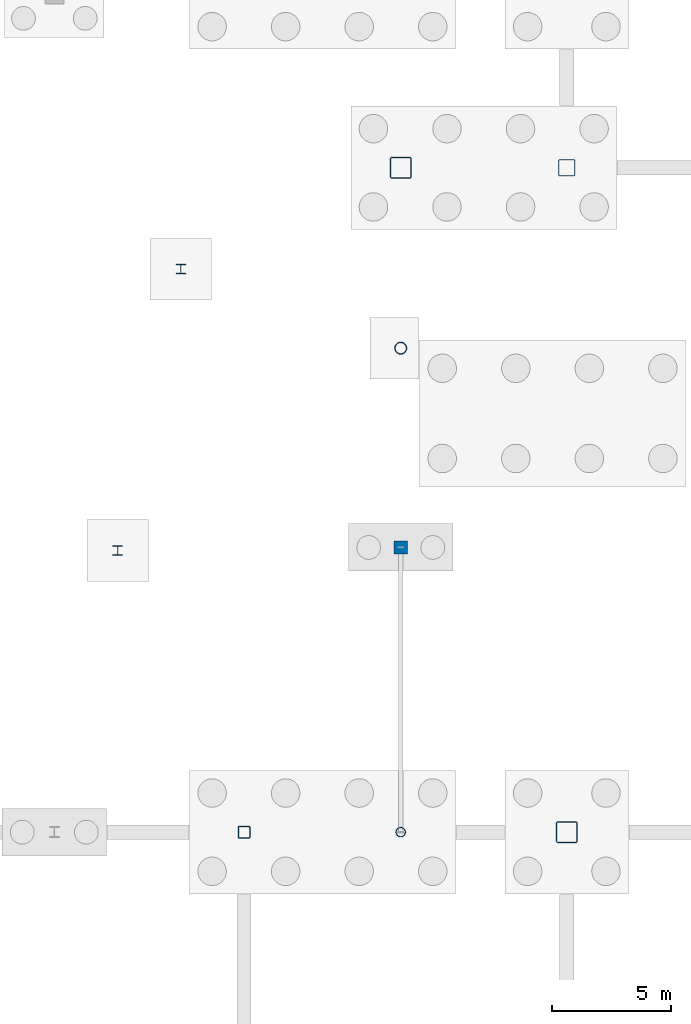
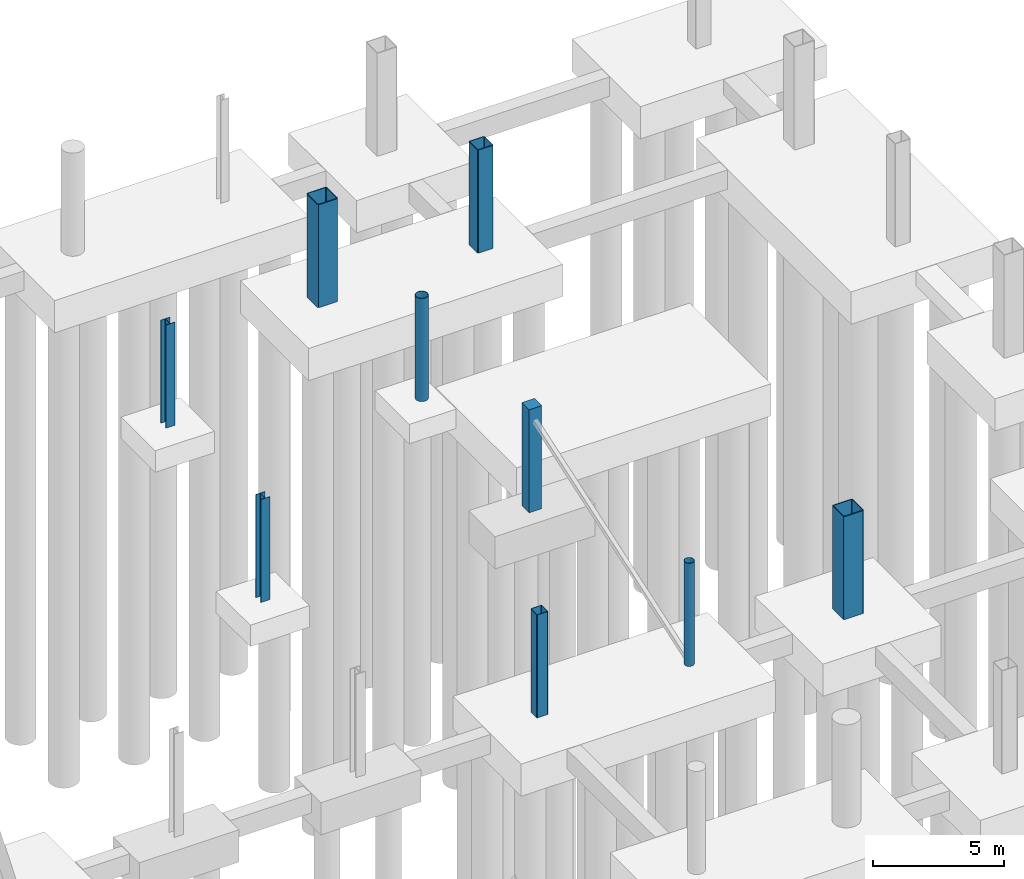
# One storey, part 15 of 34: 9 columns.
"""IFC4 building model written with IfcOpenShell, lengths in metres."""

import ifcopenshell
import ifcopenshell.guid

model = None  # the IFC model being written
_history = None  # IfcOwnerHistory: only IFC2X3 demands one
_inside = {}  # id of a spatial element -> (the spatial element, [elements in it])
_under = {}  # id of a project, library or spatial element -> (it, [spatial elements below it])
_declared = {}  # id of a project -> (the project, [libraries it declares])
_typed = {}  # id of a type object -> (the type object, [elements of that type])
_made_of = {}  # id of a material, layer set ... -> (it, [elements and type objects made of it])


def new_model(schema):
    """Start an empty IFC model of exactly this schema.

    Asked for "IFC4X3", IfcOpenShell would pick the latest addendum, in which some entities
    have other attributes; the version numbers below select the first issue.
    IFC2X3 requires an IfcOwnerHistory on every rooted entity: one is made here for all.
    """
    global model, _history
    if schema == "IFC4X3":
        model = ifcopenshell.file(schema_version=(4, 3, 0, 0))
    else:
        model = ifcopenshell.file(schema=schema)
    _inside.clear()
    _under.clear()
    _declared.clear()
    _typed.clear()
    _made_of.clear()
    _history = None
    if model.schema == "IFC2X3":
        org = make("IfcOrganization", Name="unknown")
        user = make(
            "IfcPersonAndOrganization",
            ThePerson=make("IfcPerson", FamilyName="unknown"),
            TheOrganization=org,
        )
        app = make(
            "IfcApplication",
            ApplicationDeveloper=org,
            Version="unknown",
            ApplicationFullName="unknown",
            ApplicationIdentifier="unknown",
        )
        _history = make(
            "IfcOwnerHistory",
            OwningUser=user,
            OwningApplication=app,
            ChangeAction="ADDED",
            CreationDate=0,
        )
    return model


def make(cls, **values):
    """One entity of the class cls with the attributes given. An attribute that is None is left unset."""
    return model.create_entity(
        cls, **{name: value for name, value in values.items() if value is not None}
    )


def rooted(cls, **values):
    """An entity with a GlobalId (a new one), such as an element, a storey or a relation."""
    return make(cls, GlobalId=ifcopenshell.guid.new(), OwnerHistory=_history, **values)


def si_unit(unit_type, name, prefix=None):
    """IfcSIUnit, for example si_unit("LENGTHUNIT", "METRE", prefix="MILLI")."""
    return make("IfcSIUnit", UnitType=unit_type, Prefix=prefix, Name=name)


def assignment(units):
    """IfcUnitAssignment: the units of a project."""
    return None if units is None else make("IfcUnitAssignment", Units=units)


def point(xyz):
    """IfcCartesianPoint."""
    return None if xyz is None else make("IfcCartesianPoint", Coordinates=xyz)


def direction(xyz):
    """IfcDirection."""
    return None if xyz is None else make("IfcDirection", DirectionRatios=xyz)


def frame(location, z_axis=None, x_axis=None):
    """IfcAxis2Placement3D, a coordinate frame: its origin and axes. An axis left out is left unset."""
    return make(
        "IfcAxis2Placement3D",
        Location=point(location),
        Axis=direction(z_axis),
        RefDirection=direction(x_axis),
    )


def frame_2d(location, x_axis=None):
    """IfcAxis2Placement2D, a coordinate frame in the plane: its origin and x axis."""
    return make(
        "IfcAxis2Placement2D", Location=point(location), RefDirection=direction(x_axis)
    )


def origin():
    """The frame at (0, 0, 0) with its axes left unset."""
    return frame((0.0, 0.0, 0.0))


def origin_2d():
    """The frame at (0, 0) in the plane with its x axis left unset."""
    return frame_2d((0.0, 0.0))


def place(relative_to, where):
    """IfcLocalPlacement: puts the frame where relative to a parent placement (None: the world)."""
    return make(
        "IfcLocalPlacement", PlacementRelTo=relative_to, RelativePlacement=where
    )


def context(
    kind, dimensions, precision=None, world=None, true_north=None, identifier=None
):
    """IfcGeometricRepresentationContext, for example the 3D "Model" context."""
    return make(
        "IfcGeometricRepresentationContext",
        ContextIdentifier=identifier,
        ContextType=kind,
        CoordinateSpaceDimension=dimensions,
        Precision=precision,
        WorldCoordinateSystem=world,
        TrueNorth=true_north,
    )


def subcontext(parent, identifier, kind, view, scale=None):
    """IfcGeometricRepresentationSubContext, for example "Body" below "Model"."""
    return make(
        "IfcGeometricRepresentationSubContext",
        ContextIdentifier=identifier,
        ContextType=kind,
        ParentContext=parent,
        TargetScale=scale,
        TargetView=view,
    )


def project(units=None, contexts=None):
    """IfcProject with its units and contexts."""
    return rooted(
        "IfcProject",
        Name="project",
        RepresentationContexts=contexts,
        UnitsInContext=assignment(units),
    )


def spatial(cls, under=None, at=None, **own):
    """A site, building, storey or space (cls), placed at a placement, below another one or the project."""
    s = rooted(cls, ObjectPlacement=at, **own)
    if under is not None:
        _under.setdefault(under.id(), (under, []))[1].append(s)
    return s


def profile(cls, at=None, kind="AREA", **sizes):
    """A parametric profile (cls). Its sizes go by their IFC names, for example OverallWidth=200.0."""
    return make(cls, ProfileType=kind, Position=at, **sizes)


def rectangle(**sizes):
    """IfcRectangleProfileDef."""
    return profile("IfcRectangleProfileDef", **sizes)


def hollow_rectangle(**sizes):
    """IfcRectangleHollowProfileDef."""
    return profile("IfcRectangleHollowProfileDef", **sizes)


def hollow_circle(**sizes):
    """IfcCircleHollowProfileDef."""
    return profile("IfcCircleHollowProfileDef", **sizes)


def i_section(**sizes):
    """IfcIShapeProfileDef."""
    return profile("IfcIShapeProfileDef", **sizes)


def extrude(swept, where, along, depth):
    """IfcExtrudedAreaSolid: the profile swept, set in the frame where, extruded along a direction by depth."""
    return make(
        "IfcExtrudedAreaSolid",
        SweptArea=swept,
        Position=where,
        ExtrudedDirection=direction(along),
        Depth=depth,
    )


def shape(context_of_items, identifier, shape_type, items):
    """IfcShapeRepresentation: the items that make up one representation, for example the "Body"."""
    return make(
        "IfcShapeRepresentation",
        ContextOfItems=context_of_items,
        RepresentationIdentifier=identifier,
        RepresentationType=shape_type,
        Items=items,
    )


def material(Name=None, Category=None):
    """IfcMaterial."""
    return make("IfcMaterial", Name=Name, Category=Category)


def material_profile(
    of_material, cross_section, Name=None, Category=None, Priority=None
):
    """IfcMaterialProfile: a cross section and its material."""
    return make(
        "IfcMaterialProfile",
        Name=Name,
        Material=of_material,
        Profile=cross_section,
        Priority=Priority,
        Category=Category,
    )


def profile_set(profiles, Name=None, composite=None):
    """IfcMaterialProfileSet."""
    return make(
        "IfcMaterialProfileSet",
        Name=Name,
        MaterialProfiles=profiles,
        CompositeProfile=composite,
    )


def made_of(thing, what):
    """Note that an element or type object is made of a material, layer set ...; save() writes the relation."""
    if what is not None:
        _made_of.setdefault(what.id(), (what, []))[1].append(thing)
    return thing


def type_object(cls, material=None, **own):
    """A type object (cls), such as IfcWallType, which elements share."""
    return made_of(rooted(cls, **own), material)


def element(
    cls,
    number,
    at=None,
    inside=None,
    cuts=None,
    type_object=None,
    material=None,
    context=None,
    identifier="Body",
    shape_type=None,
    held_by="IfcProductDefinitionShape",
    body=None,
    shapes=None,
    **own,
):
    """One element of the class cls, such as IfcWall. Its Tag is "e" and its number.

    at: its placement. inside: the storey or other place that contains it. cuts: it is an
    opening in that element (IfcRelVoidsElement). A single representation is given by context,
    identifier, shape_type and body (its items); several are given by shapes. held_by: the class
    of the entity that holds the representations. save() writes the other relations.
    """
    e = rooted(cls, Tag="e%d" % number, ObjectPlacement=at, **own)
    if body is not None:
        shapes = [shape(context, identifier, shape_type, body)]
    if shapes is not None:
        e.Representation = make(held_by, Representations=shapes)
    if inside is not None:
        _inside.setdefault(inside.id(), (inside, []))[1].append(e)
    if cuts is not None:
        rooted(
            "IfcRelVoidsElement", RelatingBuildingElement=cuts, RelatedOpeningElement=e
        )
    if type_object is not None:
        _typed.setdefault(type_object.id(), (type_object, []))[1].append(e)
    return made_of(e, material)


def aggregate(whole, parts):
    """IfcRelAggregates: a whole, such as a stair, and the parts it consists of."""
    return rooted("IfcRelAggregates", RelatingObject=whole, RelatedObjects=parts)


def save(model, path):
    """Write the relations noted so far, then the file.

    IfcRelAggregates (storeys below a building ...), IfcRelContainedInSpatialStructure (elements
    in a storey), IfcRelDefinesByType, IfcRelAssociatesMaterial and IfcRelDeclares: one each for
    every whole, place, type object, material and project.
    """
    for whole, parts in _under.values():
        aggregate(whole, parts)
    for where, things in _inside.values():
        rooted(
            "IfcRelContainedInSpatialStructure",
            RelatedElements=things,
            RelatingStructure=where,
        )
    for kind, things in _typed.values():
        rooted("IfcRelDefinesByType", RelatedObjects=things, RelatingType=kind)
    for what, things in _made_of.values():
        rooted("IfcRelAssociatesMaterial", RelatedObjects=things, RelatingMaterial=what)
    for by, libraries in _declared.values():
        rooted("IfcRelDeclares", RelatingContext=by, RelatedDefinitions=libraries)
    model.write(path)


model = new_model("IFC4")

# Units and contexts
model_context = context("Model", 3, precision=1e-05, world=origin(), true_north=direction((0.0, 1.0)))
body_context = subcontext(model_context, "Body", "Model", "MODEL_VIEW")
ifc_project = project(units=[si_unit("LENGTHUNIT", "METRE"), si_unit("AREAUNIT", "SQUARE_METRE"), si_unit("VOLUMEUNIT", "CUBIC_METRE"), si_unit("PLANEANGLEUNIT", "RADIAN"), si_unit("MASSUNIT", "GRAM", prefix="KILO")], contexts=[model_context])

# Site, building, storey
site_placement = place(None, origin())
site = spatial("IfcSite", under=ifc_project, at=site_placement, CompositionType="ELEMENT")
building_placement = place(site_placement, origin())
building = spatial("IfcBuilding", under=site, at=building_placement, Name="Larkvane Passage Sports Hall", CompositionType="ELEMENT")
storey_placement = place(building_placement, frame((0.0, 0.0, -4.800048828125)))
storey = spatial("IfcBuildingStorey", under=building, at=storey_placement, Name="B01", CompositionType="ELEMENT", Elevation=-4.800048828125)

# Columns
ifc_material_1 = material(Name="Concrete C40/50", Category="concrete")
ifc_material_profile_1 = material_profile(ifc_material_1, rectangle(XDim=0.550048828125, YDim=0.550048828125, at=origin_2d()), Name="RC-COL-550x550")
ifc_profile_set_1 = profile_set([ifc_material_profile_1], Name="Concrete C40/50")
column_type_1 = type_object("IfcColumnType", Name="COL-RC-550", PredefinedType="COLUMN", material=ifc_profile_set_1)
column_1_placement = place(storey_placement, frame((124.60009765625, 75.60009765625, 0.0), z_axis=(0.0, 0.0, 1.0), x_axis=(1.0, 0.0, 0.0)))
element("IfcColumn", 1, at=column_1_placement, inside=storey, type_object=column_type_1, Name="Column 17/J B01", PredefinedType="COLUMN", context=body_context, shape_type="SweptSolid", body=[
    extrude(rectangle(XDim=0.550048828125, YDim=0.550048828125, at=origin_2d()), origin(), (0.0, 0.0, 1.0), 4.800048828125),
])
ifc_material_2 = material(Name="Steel S460N", Category="steel")
ifc_material_profile_2 = material_profile(ifc_material_2, hollow_rectangle(XDim=0.699951171875, YDim=0.699951171875, WallThickness=0.028076171875, InnerFilletRadius=0.028076171875, OuterFilletRadius=0.055908203125, at=origin_2d()), Name="BOX-700x700x28")
ifc_profile_set_2 = profile_set([ifc_material_profile_2], Name="Steel S460N")
column_type_2 = type_object("IfcColumnType", Name="COL-STL-BOX700", PredefinedType="COLUMN", material=ifc_profile_set_2)
column_2_placement = place(storey_placement, frame((131.60009765625, 91.60009765625, 0.0), z_axis=(0.0, 0.0, 1.0), x_axis=(1.0, 0.0, 0.0)))
element("IfcColumn", 2, at=column_2_placement, inside=storey, type_object=column_type_2, Name="Column 18/L B01", PredefinedType="COLUMN", context=body_context, shape_type="SweptSolid", body=[
    extrude(hollow_rectangle(XDim=0.699951171875, YDim=0.699951171875, WallThickness=0.028076171875, InnerFilletRadius=0.028076171875, OuterFilletRadius=0.055908203125, at=origin_2d()), origin(), (0.0, 0.0, 1.0), 4.800048828125),
])
ifc_material_profile_3 = material_profile(ifc_material_2, hollow_rectangle(XDim=0.89990234375, YDim=0.89990234375, WallThickness=0.035888671875, InnerFilletRadius=0.035888671875, OuterFilletRadius=0.072021484375, at=origin_2d()), Name="BOX-900x900x36")
ifc_profile_set_3 = profile_set([ifc_material_profile_3], Name="Steel S460N")
column_type_3 = type_object("IfcColumnType", Name="COL-STL-BOX900", PredefinedType="COLUMN", material=ifc_profile_set_3)
for number, where, z_axis, x_axis, name in (
    (3, (124.60009765625, 91.60009765625, 0.0), (0.0, 0.0, 1.0), (1.0, 0.0, 0.0), "Column 17/L B01"),
    (4, (131.60009765625, 63.60009765625, 0.0), (0.0, 0.0, 1.0), (1.0, 0.0, 0.0), "Column 18/H B01"),
):
    element("IfcColumn", number, at=place(storey_placement, frame(where, z_axis=z_axis, x_axis=x_axis)), inside=storey, type_object=column_type_3, Name=name, PredefinedType="COLUMN", context=body_context, shape_type="SweptSolid", body=[
        extrude(hollow_rectangle(XDim=0.89990234375, YDim=0.89990234375, WallThickness=0.035888671875, InnerFilletRadius=0.035888671875, OuterFilletRadius=0.072021484375, at=origin_2d()), origin(), (0.0, 0.0, 1.0), 4.800048828125),
    ])
ifc_material_3 = material(Name="Steel S355JR", Category="steel")
ifc_material_profile_4 = material_profile(ifc_material_3, hollow_circle(Radius=0.203125, WallThickness=0.01611328125, at=origin_2d()), Name="CHS-406.4x16.0")
ifc_profile_set_4 = profile_set([ifc_material_profile_4], Name="Steel S355JR")
column_type_4 = type_object("IfcColumnType", Name="COL-STL-CHS406", PredefinedType="COLUMN", material=ifc_profile_set_4)
column_3_placement = place(storey_placement, frame((124.60009765625, 63.60009765625, 0.0), z_axis=(0.0, 0.0, 1.0), x_axis=(1.0, 0.0, 0.0)))
element("IfcColumn", 5, at=column_3_placement, inside=storey, type_object=column_type_4, Name="Column 17/H B01", PredefinedType="COLUMN", context=body_context, shape_type="SweptSolid", body=[
    extrude(hollow_circle(Radius=0.203125, WallThickness=0.01611328125, at=origin_2d()), origin(), (0.0, 0.0, 1.0), 4.800048828125),
])
ifc_material_profile_5 = material_profile(ifc_material_2, hollow_circle(Radius=0.25390625, WallThickness=0.01904296875, at=origin_2d()), Name="CHS-508.0x19.0")
ifc_profile_set_5 = profile_set([ifc_material_profile_5], Name="Steel S460N")
column_type_5 = type_object("IfcColumnType", Name="COL-STL-CHS508", PredefinedType="COLUMN", material=ifc_profile_set_5)
column_4_placement = place(storey_placement, frame((124.60009765625, 84.0, 0.0), z_axis=(0.0, 0.0, 1.0), x_axis=(1.0, 0.0, 0.0)))
element("IfcColumn", 6, at=column_4_placement, inside=storey, type_object=column_type_5, Name="Column 17/K B01", PredefinedType="COLUMN", context=body_context, shape_type="SweptSolid", body=[
    extrude(hollow_circle(Radius=0.25390625, WallThickness=0.01904296875, at=origin_2d()), origin(), (0.0, 0.0, 1.0), 4.800048828125),
])
ifc_material_profile_6 = material_profile(ifc_material_3, i_section(OverallWidth=0.39990234375, OverallDepth=0.39990234375, WebThickness=0.012939453125, FlangeThickness=0.02099609375, FilletRadius=0.02197265625, at=origin_2d()), Name="H-400x400x13x21")
ifc_profile_set_6 = profile_set([ifc_material_profile_6], Name="Steel S355JR")
column_type_6 = type_object("IfcColumnType", Name="COL-STL-H400", PredefinedType="COLUMN", material=ifc_profile_set_6)
for number, where, z_axis, x_axis, name in (
    (7, (112.669921875, 75.469970703125, 0.0), (0.0, 0.0, 1.0), (1.0, 0.0, 0.0), "Climbing hall east facade column V3E-1 B01"),
    (8, (115.330078125, 87.330078125, 0.0), (0.0, 0.0, 1.0), (1.0, 0.0, 0.0), "Climbing hall east facade column V3E-2 B01"),
):
    element("IfcColumn", number, at=place(storey_placement, frame(where, z_axis=z_axis, x_axis=x_axis)), inside=storey, type_object=column_type_6, Name=name, PredefinedType="COLUMN", context=body_context, shape_type="SweptSolid", body=[
        extrude(i_section(OverallWidth=0.39990234375, OverallDepth=0.39990234375, WebThickness=0.012939453125, FlangeThickness=0.02099609375, FilletRadius=0.02197265625, at=origin_2d()), origin(), (0.0, 0.0, 1.0), 4.800048828125),
    ])
ifc_material_profile_7 = material_profile(ifc_material_2, hollow_rectangle(XDim=0.5, YDim=0.5, WallThickness=0.02197265625, InnerFilletRadius=0.02197265625, OuterFilletRadius=0.0439453125, at=origin_2d()), Name="SHS-500x500x22")
ifc_profile_set_7 = profile_set([ifc_material_profile_7], Name="Steel S460N")
column_type_7 = type_object("IfcColumnType", Name="COL-STL-SHS500", PredefinedType="COLUMN", material=ifc_profile_set_7)
column_5_placement = place(storey_placement, frame((118.0, 63.60009765625, 0.0), z_axis=(0.0, 0.0, 1.0), x_axis=(1.0, 0.0, 0.0)))
element("IfcColumn", 9, at=column_5_placement, inside=storey, type_object=column_type_7, Name="Column 16/H B01", PredefinedType="COLUMN", context=body_context, shape_type="SweptSolid", body=[
    extrude(hollow_rectangle(XDim=0.5, YDim=0.5, WallThickness=0.02197265625, InnerFilletRadius=0.02197265625, OuterFilletRadius=0.0439453125, at=origin_2d()), origin(), (0.0, 0.0, 1.0), 4.800048828125),
])

save(model, "model.ifc")
